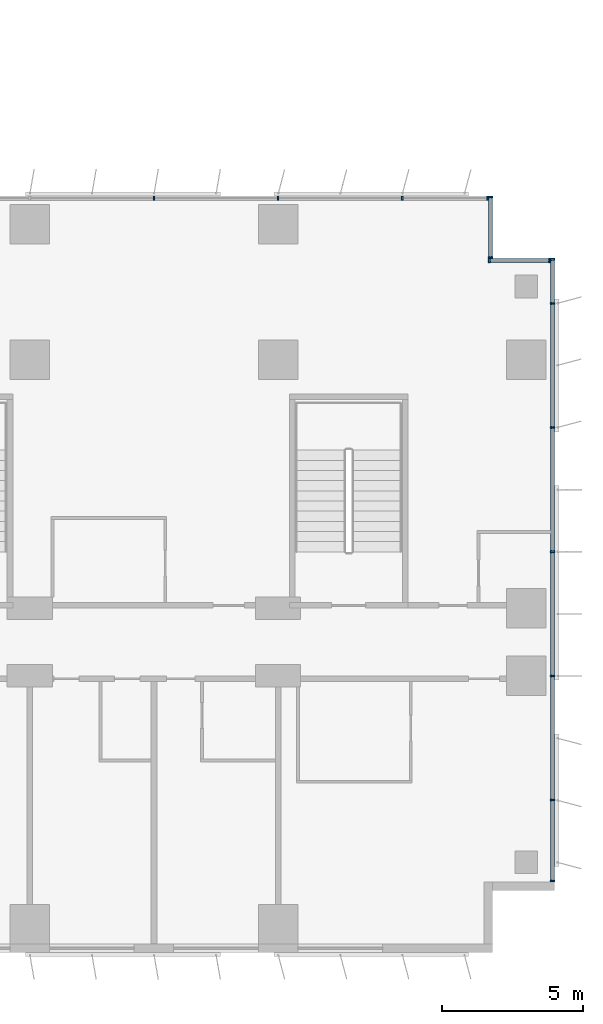
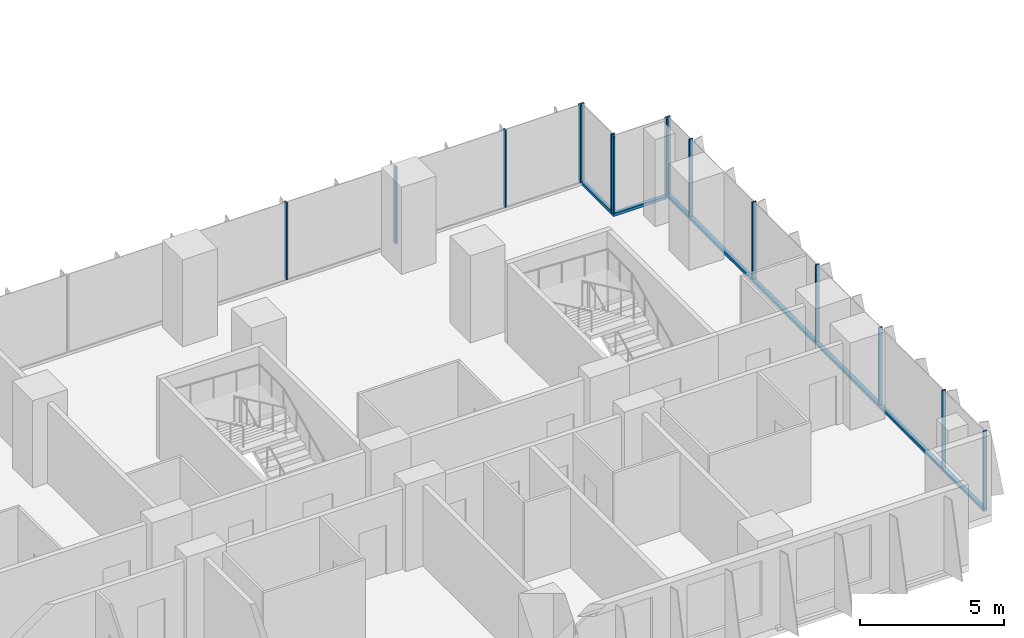
# One storey, part 8 of 24: 18 members, 4 elements without a shape of their own.
"""IFC4 building model written with IfcOpenShell, lengths in metres."""

import ifcopenshell
import ifcopenshell.guid

model = None  # the IFC model being written
_history = None  # IfcOwnerHistory: only IFC2X3 demands one
_inside = {}  # id of a spatial element -> (the spatial element, [elements in it])
_under = {}  # id of a project, library or spatial element -> (it, [spatial elements below it])
_declared = {}  # id of a project -> (the project, [libraries it declares])
_typed = {}  # id of a type object -> (the type object, [elements of that type])
_made_of = {}  # id of a material, layer set ... -> (it, [elements and type objects made of it])


def new_model(schema):
    """Start an empty IFC model of exactly this schema.

    Asked for "IFC4X3", IfcOpenShell would pick the latest addendum, in which some entities
    have other attributes; the version numbers below select the first issue.
    IFC2X3 requires an IfcOwnerHistory on every rooted entity: one is made here for all.
    """
    global model, _history
    if schema == "IFC4X3":
        model = ifcopenshell.file(schema_version=(4, 3, 0, 0))
    else:
        model = ifcopenshell.file(schema=schema)
    _inside.clear()
    _under.clear()
    _declared.clear()
    _typed.clear()
    _made_of.clear()
    _history = None
    if model.schema == "IFC2X3":
        org = make("IfcOrganization", Name="unknown")
        user = make(
            "IfcPersonAndOrganization",
            ThePerson=make("IfcPerson", FamilyName="unknown"),
            TheOrganization=org,
        )
        app = make(
            "IfcApplication",
            ApplicationDeveloper=org,
            Version="unknown",
            ApplicationFullName="unknown",
            ApplicationIdentifier="unknown",
        )
        _history = make(
            "IfcOwnerHistory",
            OwningUser=user,
            OwningApplication=app,
            ChangeAction="ADDED",
            CreationDate=0,
        )
    return model


def make(cls, **values):
    """One entity of the class cls with the attributes given. An attribute that is None is left unset."""
    return model.create_entity(
        cls, **{name: value for name, value in values.items() if value is not None}
    )


def rooted(cls, **values):
    """An entity with a GlobalId (a new one), such as an element, a storey or a relation."""
    return make(cls, GlobalId=ifcopenshell.guid.new(), OwnerHistory=_history, **values)


def si_unit(unit_type, name, prefix=None):
    """IfcSIUnit, for example si_unit("LENGTHUNIT", "METRE", prefix="MILLI")."""
    return make("IfcSIUnit", UnitType=unit_type, Prefix=prefix, Name=name)


def assignment(units):
    """IfcUnitAssignment: the units of a project."""
    return None if units is None else make("IfcUnitAssignment", Units=units)


def point(xyz):
    """IfcCartesianPoint."""
    return None if xyz is None else make("IfcCartesianPoint", Coordinates=xyz)


def direction(xyz):
    """IfcDirection."""
    return None if xyz is None else make("IfcDirection", DirectionRatios=xyz)


def frame(location, z_axis=None, x_axis=None):
    """IfcAxis2Placement3D, a coordinate frame: its origin and axes. An axis left out is left unset."""
    return make(
        "IfcAxis2Placement3D",
        Location=point(location),
        Axis=direction(z_axis),
        RefDirection=direction(x_axis),
    )


def frame_2d(location, x_axis=None):
    """IfcAxis2Placement2D, a coordinate frame in the plane: its origin and x axis."""
    return make(
        "IfcAxis2Placement2D", Location=point(location), RefDirection=direction(x_axis)
    )


def origin():
    """The frame at (0, 0, 0) with its axes left unset."""
    return frame((0.0, 0.0, 0.0))


def origin_2d():
    """The frame at (0, 0) in the plane with its x axis left unset."""
    return frame_2d((0.0, 0.0))


def place(relative_to, where):
    """IfcLocalPlacement: puts the frame where relative to a parent placement (None: the world)."""
    return make(
        "IfcLocalPlacement", PlacementRelTo=relative_to, RelativePlacement=where
    )


def context(
    kind, dimensions, precision=None, world=None, true_north=None, identifier=None
):
    """IfcGeometricRepresentationContext, for example the 3D "Model" context."""
    return make(
        "IfcGeometricRepresentationContext",
        ContextIdentifier=identifier,
        ContextType=kind,
        CoordinateSpaceDimension=dimensions,
        Precision=precision,
        WorldCoordinateSystem=world,
        TrueNorth=true_north,
    )


def subcontext(parent, identifier, kind, view, scale=None):
    """IfcGeometricRepresentationSubContext, for example "Body" below "Model"."""
    return make(
        "IfcGeometricRepresentationSubContext",
        ContextIdentifier=identifier,
        ContextType=kind,
        ParentContext=parent,
        TargetScale=scale,
        TargetView=view,
    )


def project(units=None, contexts=None):
    """IfcProject with its units and contexts."""
    return rooted(
        "IfcProject",
        Name="project",
        RepresentationContexts=contexts,
        UnitsInContext=assignment(units),
    )


def spatial(cls, under=None, at=None, **own):
    """A site, building, storey or space (cls), placed at a placement, below another one or the project."""
    s = rooted(cls, ObjectPlacement=at, **own)
    if under is not None:
        _under.setdefault(under.id(), (under, []))[1].append(s)
    return s


def profile(cls, at=None, kind="AREA", **sizes):
    """A parametric profile (cls). Its sizes go by their IFC names, for example OverallWidth=200.0."""
    return make(cls, ProfileType=kind, Position=at, **sizes)


def rectangle(**sizes):
    """IfcRectangleProfileDef."""
    return profile("IfcRectangleProfileDef", **sizes)


def extrude(swept, where, along, depth):
    """IfcExtrudedAreaSolid: the profile swept, set in the frame where, extruded along a direction by depth."""
    return make(
        "IfcExtrudedAreaSolid",
        SweptArea=swept,
        Position=where,
        ExtrudedDirection=direction(along),
        Depth=depth,
    )


def shape(context_of_items, identifier, shape_type, items):
    """IfcShapeRepresentation: the items that make up one representation, for example the "Body"."""
    return make(
        "IfcShapeRepresentation",
        ContextOfItems=context_of_items,
        RepresentationIdentifier=identifier,
        RepresentationType=shape_type,
        Items=items,
    )


def source(mapping_origin, context_of_items, identifier, shape_type, items):
    """IfcRepresentationMap: a shape defined once, which mapped items show again and again."""
    return make(
        "IfcRepresentationMap",
        MappingOrigin=mapping_origin,
        MappedRepresentation=shape(context_of_items, identifier, shape_type, items),
    )


def transform(
    local_origin,
    x_axis=None,
    y_axis=None,
    z_axis=None,
    scale=None,
    scale2=None,
    scale3=None,
    uniform=True,
):
    """IfcCartesianTransformationOperator3D, or its non-uniform kind. x_axis, y_axis, z_axis: its Axis1, 2, 3."""
    if uniform:
        return make(
            "IfcCartesianTransformationOperator3D",
            Axis1=direction(x_axis),
            Axis2=direction(y_axis),
            LocalOrigin=point(local_origin),
            Scale=scale,
            Axis3=direction(z_axis),
        )
    return make(
        "IfcCartesianTransformationOperator3DnonUniform",
        Axis1=direction(x_axis),
        Axis2=direction(y_axis),
        LocalOrigin=point(local_origin),
        Scale=scale,
        Axis3=direction(z_axis),
        Scale2=scale2,
        Scale3=scale3,
    )


def mapped(mapping_source, mapping_target):
    """IfcMappedItem: shows the shape of a source again, moved by a transform."""
    return make(
        "IfcMappedItem", MappingSource=mapping_source, MappingTarget=mapping_target
    )


def material(Name=None, Category=None):
    """IfcMaterial."""
    return make("IfcMaterial", Name=Name, Category=Category)


def material_profile(
    of_material, cross_section, Name=None, Category=None, Priority=None
):
    """IfcMaterialProfile: a cross section and its material."""
    return make(
        "IfcMaterialProfile",
        Name=Name,
        Material=of_material,
        Profile=cross_section,
        Priority=Priority,
        Category=Category,
    )


def profile_set(profiles, Name=None, composite=None):
    """IfcMaterialProfileSet."""
    return make(
        "IfcMaterialProfileSet",
        Name=Name,
        MaterialProfiles=profiles,
        CompositeProfile=composite,
    )


def made_of(thing, what):
    """Note that an element or type object is made of a material, layer set ...; save() writes the relation."""
    if what is not None:
        _made_of.setdefault(what.id(), (what, []))[1].append(thing)
    return thing


def type_object(cls, material=None, **own):
    """A type object (cls), such as IfcWallType, which elements share."""
    return made_of(rooted(cls, **own), material)


def element(
    cls,
    number,
    at=None,
    inside=None,
    cuts=None,
    type_object=None,
    material=None,
    context=None,
    identifier="Body",
    shape_type=None,
    held_by="IfcProductDefinitionShape",
    body=None,
    shapes=None,
    **own,
):
    """One element of the class cls, such as IfcWall. Its Tag is "e" and its number.

    at: its placement. inside: the storey or other place that contains it. cuts: it is an
    opening in that element (IfcRelVoidsElement). A single representation is given by context,
    identifier, shape_type and body (its items); several are given by shapes. held_by: the class
    of the entity that holds the representations. save() writes the other relations.
    """
    e = rooted(cls, Tag="e%d" % number, ObjectPlacement=at, **own)
    if body is not None:
        shapes = [shape(context, identifier, shape_type, body)]
    if shapes is not None:
        e.Representation = make(held_by, Representations=shapes)
    if inside is not None:
        _inside.setdefault(inside.id(), (inside, []))[1].append(e)
    if cuts is not None:
        rooted(
            "IfcRelVoidsElement", RelatingBuildingElement=cuts, RelatedOpeningElement=e
        )
    if type_object is not None:
        _typed.setdefault(type_object.id(), (type_object, []))[1].append(e)
    return made_of(e, material)


def aggregate(whole, parts):
    """IfcRelAggregates: a whole, such as a stair, and the parts it consists of."""
    return rooted("IfcRelAggregates", RelatingObject=whole, RelatedObjects=parts)


def save(model, path):
    """Write the relations noted so far, then the file.

    IfcRelAggregates (storeys below a building ...), IfcRelContainedInSpatialStructure (elements
    in a storey), IfcRelDefinesByType, IfcRelAssociatesMaterial and IfcRelDeclares: one each for
    every whole, place, type object, material and project.
    """
    for whole, parts in _under.values():
        aggregate(whole, parts)
    for where, things in _inside.values():
        rooted(
            "IfcRelContainedInSpatialStructure",
            RelatedElements=things,
            RelatingStructure=where,
        )
    for kind, things in _typed.values():
        rooted("IfcRelDefinesByType", RelatedObjects=things, RelatingType=kind)
    for what, things in _made_of.values():
        rooted("IfcRelAssociatesMaterial", RelatedObjects=things, RelatingMaterial=what)
    for by, libraries in _declared.values():
        rooted("IfcRelDeclares", RelatingContext=by, RelatedDefinitions=libraries)
    model.write(path)


model = new_model("IFC4")

# Units and contexts
model_context = context("Model", 3, precision=1e-05, world=origin(), true_north=direction((0.0, 1.0)))
body_context = subcontext(model_context, "Body", "Model", "MODEL_VIEW")
ifc_project = project(units=[si_unit("LENGTHUNIT", "METRE"), si_unit("AREAUNIT", "SQUARE_METRE"), si_unit("VOLUMEUNIT", "CUBIC_METRE"), si_unit("PLANEANGLEUNIT", "RADIAN"), si_unit("MASSUNIT", "GRAM", prefix="KILO")], contexts=[model_context])

# Site, building, storey
site_placement = place(None, origin())
site = spatial("IfcSite", under=ifc_project, at=site_placement, CompositionType="ELEMENT")
building_placement = place(site_placement, origin())
building = spatial("IfcBuilding", under=site, at=building_placement, Name="Kemantara Hotel Tower", CompositionType="ELEMENT")
storey_placement = place(building_placement, frame((0.0, 0.0, 41.39990234375)))
storey = spatial("IfcBuildingStorey", under=building, at=storey_placement, Name="L08", CompositionType="ELEMENT", Elevation=41.39990234375)

# Curtain wall, member
ifc_material_1 = material(Name="Low-E tinted double insulated glass 36 mm", Category="glass")
curtain_wall_type = type_object("IfcCurtainWallType", Name="TOWER CURTAIN WALL, FRONT FACES", PredefinedType="USERDEFINED", material=ifc_material_1)
curtain_wall_1_placement = place(storey_placement, origin())
curtain_wall_1 = element("IfcCurtainWall", 1, at=curtain_wall_1_placement, inside=storey, type_object=curtain_wall_type, Name="CW4 L08 T1-R04-1", ObjectType="TOWER CURTAIN WALL, FRONT FACES", PredefinedType="USERDEFINED")
ifc_material_2 = material(Name="Aluminium 6063-T6 bronze anodised", Category="aluminium")
ifc_material_profile_1 = material_profile(ifc_material_2, rectangle(XDim=0.14990234375, YDim=0.1201171875, at=origin_2d()), Name="TOWER CURTAIN WALL, FRONT FACES TRANSOM")
ifc_profile_set_1 = profile_set([ifc_material_profile_1], Name="Aluminium 6063-T6 bronze anodised")
member_type_1 = type_object("IfcMemberType", Name="TOWER CURTAIN WALL, FRONT FACES TRANSOM", PredefinedType="USERDEFINED", material=ifc_profile_set_1)
member_1_placement = place(storey_placement, frame((81.125, 2.5, 0.06005859375), z_axis=(0.0, 1.0, 0.0), x_axis=(-1.0, 0.0, 0.0)))
member_1 = element("IfcMember", 2, at=member_1_placement, type_object=member_type_1, Name="CW4 sill transom T1-R04-1", ObjectType="TRANSOM", PredefinedType="USERDEFINED", context=body_context, shape_type="SweptSolid", body=[
    extrude(rectangle(XDim=0.14990234375, YDim=0.1201171875, at=origin_2d()), origin(), (0.0, 0.0, 1.0), 22.10009765625),
])

curtain_wall_2_placement = place(storey_placement, origin())
curtain_wall_2 = element("IfcCurtainWall", 3, at=curtain_wall_2_placement, inside=storey, type_object=curtain_wall_type, Name="CW4 L08 T1-R05-1", ObjectType="TOWER CURTAIN WALL, FRONT FACES", PredefinedType="USERDEFINED")
member_2_placement = place(storey_placement, frame((81.050048828125, 24.52490234375, 0.06005859375), z_axis=(-1.0, 0.0, 0.0), x_axis=(0.0, -1.0, 0.0)))
member_2 = element("IfcMember", 4, at=member_2_placement, type_object=member_type_1, Name="CW4 sill transom T1-R05-1", ObjectType="TRANSOM", PredefinedType="USERDEFINED", context=body_context, shape_type="SweptSolid", body=[
    extrude(rectangle(XDim=0.14990234375, YDim=0.1201171875, at=origin_2d()), origin(), (0.0, 0.0, 1.0), 2.199951171875),
])

curtain_wall_3_placement = place(storey_placement, origin())
curtain_wall_3 = element("IfcCurtainWall", 5, at=curtain_wall_3_placement, inside=storey, type_object=curtain_wall_type, Name="CW4 L08 T1-R06-1", ObjectType="TOWER CURTAIN WALL, FRONT FACES", PredefinedType="USERDEFINED")
member_3_placement = place(storey_placement, frame((78.925048828125, 24.60009765625, 0.06005859375), z_axis=(0.0, 1.0, 0.0), x_axis=(-1.0, 0.0, 0.0)))
member_3 = element("IfcMember", 6, at=member_3_placement, type_object=member_type_1, Name="CW4 sill transom T1-R06-1", ObjectType="TRANSOM", PredefinedType="USERDEFINED", context=body_context, shape_type="SweptSolid", body=[
    extrude(rectangle(XDim=0.14990234375, YDim=0.1201171875, at=origin_2d()), origin(), (0.0, 0.0, 1.0), 2.199951171875),
])

# Member
ifc_material_profile_2 = material_profile(ifc_material_2, rectangle(XDim=0.14990234375, YDim=0.06005859375, at=origin_2d()), Name="TOWER CURTAIN WALL, FRONT FACES MULLION")
ifc_profile_set_2 = profile_set([ifc_material_profile_2], Name="Aluminium 6063-T6 bronze anodised")
member_type_2 = type_object("IfcMemberType", Name="TOWER CURTAIN WALL, FRONT FACES MULLION", PredefinedType="MULLION", material=ifc_profile_set_2)
shared_shape = source(origin(), body_context, "Body", "SweptSolid", [
    extrude(rectangle(XDim=0.14990234375, YDim=0.06005859375, at=origin_2d()), origin(), (0.0, 0.0, 1.0), 3.280029296875),
])
member_4_placement = place(storey_placement, frame((81.125, 2.530029296875, 0.1201171875), z_axis=(0.0, 0.0, 1.0), x_axis=(-1.0, 0.0, 0.0)))
member_4 = element("IfcMember", 7, at=member_4_placement, type_object=member_type_2, Name="CW4 mullion T1-R04-1.1", PredefinedType="MULLION", context=body_context, shape_type="MappedRepresentation", body=[
    mapped(shared_shape, transform((0.0, 0.0, 0.0))),
])

member_5_placement = place(storey_placement, frame((81.125, 5.39990234375, 0.1201171875), z_axis=(0.0, 0.0, 1.0), x_axis=(-1.0, 0.0, 0.0)))
member_5 = element("IfcMember", 8, at=member_5_placement, type_object=member_type_2, Name="CW4 mullion T1-R04-1.2", PredefinedType="MULLION", context=body_context, shape_type="MappedRepresentation", body=[
    mapped(shared_shape, transform((0.0, 0.0, 0.0))),
])

member_6_placement = place(storey_placement, frame((81.125, 9.800048828125, 0.1201171875), z_axis=(0.0, 0.0, 1.0), x_axis=(-1.0, 0.0, 0.0)))
member_6 = element("IfcMember", 9, at=member_6_placement, type_object=member_type_2, Name="CW4 mullion T1-R04-1.3", PredefinedType="MULLION", context=body_context, shape_type="MappedRepresentation", body=[
    mapped(shared_shape, transform((0.0, 0.0, 0.0))),
])

member_7_placement = place(storey_placement, frame((81.125, 14.199951171875, 0.1201171875), z_axis=(0.0, 0.0, 1.0), x_axis=(-1.0, 0.0, 0.0)))
member_7 = element("IfcMember", 10, at=member_7_placement, type_object=member_type_2, Name="CW4 mullion T1-R04-1.4", PredefinedType="MULLION", context=body_context, shape_type="MappedRepresentation", body=[
    mapped(shared_shape, transform((0.0, 0.0, 0.0))),
])

member_8_placement = place(storey_placement, frame((81.125, 18.60009765625, 0.1201171875), z_axis=(0.0, 0.0, 1.0), x_axis=(-1.0, 0.0, 0.0)))
member_8 = element("IfcMember", 11, at=member_8_placement, type_object=member_type_2, Name="CW4 mullion T1-R04-1.5", PredefinedType="MULLION", context=body_context, shape_type="MappedRepresentation", body=[
    mapped(shared_shape, transform((0.0, 0.0, 0.0))),
])

member_9_placement = place(storey_placement, frame((81.125, 23.0, 0.1201171875), z_axis=(0.0, 0.0, 1.0), x_axis=(-1.0, 0.0, 0.0)))
member_9 = element("IfcMember", 12, at=member_9_placement, type_object=member_type_2, Name="CW4 mullion T1-R04-1.6", PredefinedType="MULLION", context=body_context, shape_type="MappedRepresentation", body=[
    mapped(shared_shape, transform((0.0, 0.0, 0.0))),
])

member_10_placement = place(storey_placement, frame((81.125, 24.570068359375, 0.1201171875), z_axis=(0.0, 0.0, 1.0), x_axis=(-1.0, 0.0, 0.0)))
member_10 = element("IfcMember", 13, at=member_10_placement, type_object=member_type_2, Name="CW4 mullion T1-R04-1.7", PredefinedType="MULLION", context=body_context, shape_type="MappedRepresentation", body=[
    mapped(shared_shape, transform((0.0, 0.0, 0.0))),
])

aggregate(curtain_wall_1, [member_1, member_4, member_5, member_6, member_7, member_8, member_9, member_10])

# Curtain wall, members
curtain_wall_4_placement = place(storey_placement, origin())
curtain_wall_4 = element("IfcCurtainWall", 14, at=curtain_wall_4_placement, inside=storey, type_object=curtain_wall_type, Name="CW4 L08 T1-R07-1", ObjectType="TOWER CURTAIN WALL, FRONT FACES", PredefinedType="USERDEFINED")
member_11_placement = place(storey_placement, frame((78.820068359375, 26.72509765625, 0.1201171875), z_axis=(0.0, 0.0, 1.0), x_axis=(0.0, -1.0, 0.0)))
member_11 = element("IfcMember", 15, at=member_11_placement, type_object=member_type_2, Name="CW4 mullion T1-R07-1.1", PredefinedType="MULLION", context=body_context, shape_type="MappedRepresentation", body=[
    mapped(shared_shape, transform((0.0, 0.0, 0.0))),
])
member_12_placement = place(storey_placement, frame((75.800048828125, 26.72509765625, 0.1201171875), z_axis=(0.0, 0.0, 1.0), x_axis=(0.0, -1.0, 0.0)))
member_12 = element("IfcMember", 16, at=member_12_placement, type_object=member_type_2, Name="CW4 mullion T1-R07-1.2", PredefinedType="MULLION", context=body_context, shape_type="MappedRepresentation", body=[
    mapped(shared_shape, transform((0.0, 0.0, 0.0))),
])
member_13_placement = place(storey_placement, frame((71.39990234375, 26.72509765625, 0.1201171875), z_axis=(0.0, 0.0, 1.0), x_axis=(0.0, -1.0, 0.0)))
member_13 = element("IfcMember", 17, at=member_13_placement, type_object=member_type_2, Name="CW4 mullion T1-R07-1.3", PredefinedType="MULLION", context=body_context, shape_type="MappedRepresentation", body=[
    mapped(shared_shape, transform((0.0, 0.0, 0.0))),
])
member_14_placement = place(storey_placement, frame((67.0, 26.72509765625, 0.1201171875), z_axis=(0.0, 0.0, 1.0), x_axis=(0.0, -1.0, 0.0)))
member_14 = element("IfcMember", 18, at=member_14_placement, type_object=member_type_2, Name="CW4 mullion T1-R07-1.4", PredefinedType="MULLION", context=body_context, shape_type="MappedRepresentation", body=[
    mapped(shared_shape, transform((0.0, 0.0, 0.0))),
])
aggregate(curtain_wall_4, [member_11, member_12, member_13, member_14])

# Member
member_15_placement = place(storey_placement, frame((81.02001953125, 24.52490234375, 0.1201171875), z_axis=(0.0, 0.0, 1.0), x_axis=(0.0, -1.0, 0.0)))
member_15 = element("IfcMember", 19, at=member_15_placement, type_object=member_type_2, Name="CW4 mullion T1-R05-1.1", PredefinedType="MULLION", context=body_context, shape_type="MappedRepresentation", body=[
    mapped(shared_shape, transform((0.0, 0.0, 0.0))),
])

member_16_placement = place(storey_placement, frame((78.8798828125, 24.52490234375, 0.1201171875), z_axis=(0.0, 0.0, 1.0), x_axis=(0.0, -1.0, 0.0)))
member_16 = element("IfcMember", 20, at=member_16_placement, type_object=member_type_2, Name="CW4 mullion T1-R05-1.2", PredefinedType="MULLION", context=body_context, shape_type="MappedRepresentation", body=[
    mapped(shared_shape, transform((0.0, 0.0, 0.0))),
])

aggregate(curtain_wall_2, [member_2, member_15, member_16])

member_17_placement = place(storey_placement, frame((78.925048828125, 24.6298828125, 0.1201171875), z_axis=(0.0, 0.0, 1.0), x_axis=(-1.0, 0.0, 0.0)))
member_17 = element("IfcMember", 21, at=member_17_placement, type_object=member_type_2, Name="CW4 mullion T1-R06-1.1", PredefinedType="MULLION", context=body_context, shape_type="MappedRepresentation", body=[
    mapped(shared_shape, transform((0.0, 0.0, 0.0))),
])

member_18_placement = place(storey_placement, frame((78.925048828125, 26.77001953125, 0.1201171875), z_axis=(0.0, 0.0, 1.0), x_axis=(-1.0, 0.0, 0.0)))
member_18 = element("IfcMember", 22, at=member_18_placement, type_object=member_type_2, Name="CW4 mullion T1-R06-1.2", PredefinedType="MULLION", context=body_context, shape_type="MappedRepresentation", body=[
    mapped(shared_shape, transform((0.0, 0.0, 0.0))),
])

aggregate(curtain_wall_3, [member_3, member_17, member_18])

save(model, "model.ifc")
